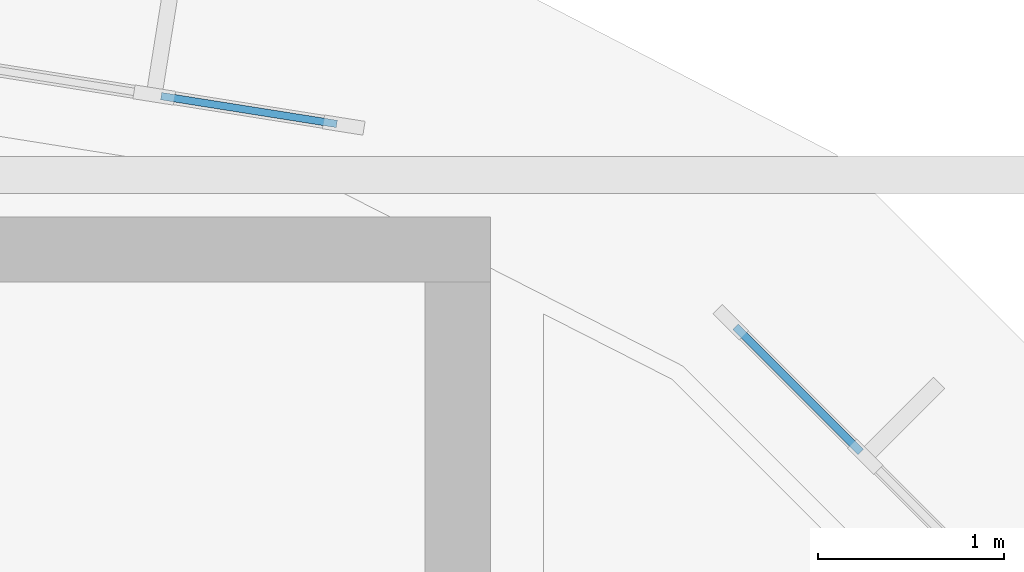
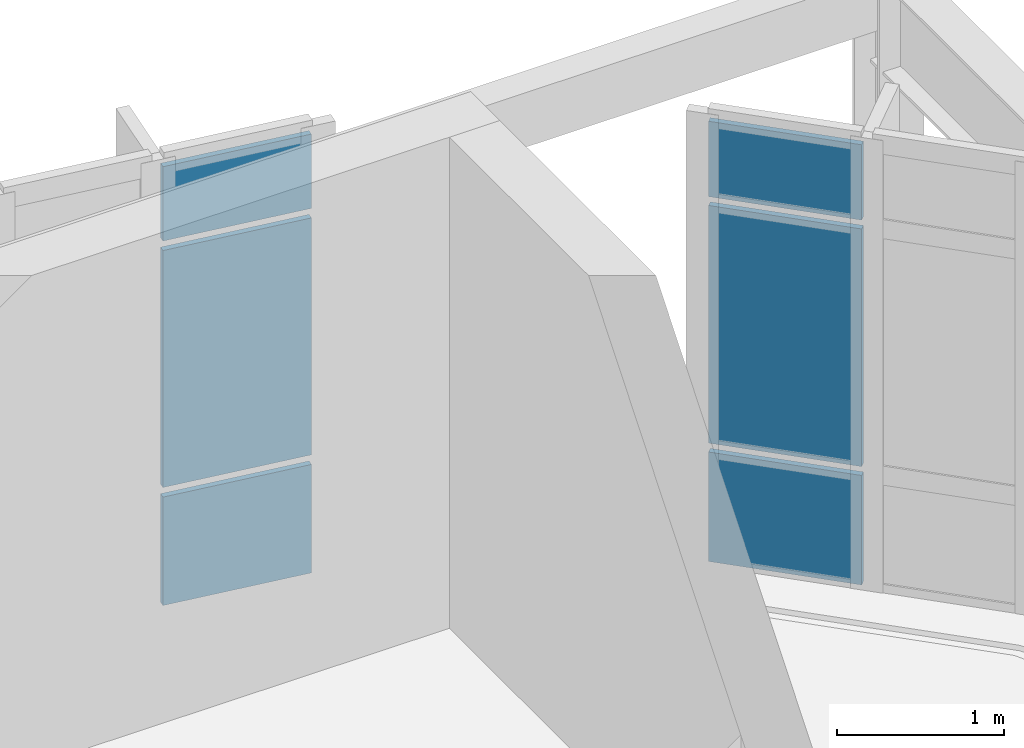
# One storey, part 22 of 30: 6 plates, 2 elements without a shape of their own.
"""IFC4 building model written with IfcOpenShell, lengths in metres."""

from ifc_helpers import new_model, si_unit, direction, frame, origin, origin_2d, place, context, subcontext, project, spatial, rectangle, extrude, material, layer, layer_set, type_object, element, aggregate, save


model = new_model("IFC4")

# Units and contexts
model_context = context("Model", 3, precision=1e-05, world=origin(), true_north=direction((0.0, 1.0)))
body_context = subcontext(model_context, "Body", "Model", "MODEL_VIEW")
ifc_project = project(units=[si_unit("LENGTHUNIT", "METRE"), si_unit("AREAUNIT", "SQUARE_METRE"), si_unit("VOLUMEUNIT", "CUBIC_METRE"), si_unit("PLANEANGLEUNIT", "RADIAN"), si_unit("MASSUNIT", "GRAM", prefix="KILO")], contexts=[model_context])

# Site, building, storey
site_placement = place(None, origin())
site = spatial("IfcSite", under=ifc_project, at=site_placement, CompositionType="ELEMENT")
building_placement = place(site_placement, origin())
building = spatial("IfcBuilding", under=site, at=building_placement, Name="Corveleigh Park Community Centre", CompositionType="ELEMENT")
storey_placement = place(building_placement, frame((0.0, 0.0, 12.60009765625)))
storey = spatial("IfcBuildingStorey", under=building, at=storey_placement, Name="L03", CompositionType="ELEMENT", Elevation=12.60009765625)

# Curtain wall, plates
ifc_material_1 = material(Name="Anodised aluminium 6063-T6", Category="aluminium")
curtain_wall_type = type_object("IfcCurtainWallType", Name="CW-SYS-V4-L03", PredefinedType="NOTDEFINED", material=ifc_material_1)
curtain_wall_1_placement = place(storey_placement, origin())
curtain_wall_1 = element("IfcCurtainWall", 1, at=curtain_wall_1_placement, inside=storey, type_object=curtain_wall_type, Name="V4 L03 Curtain Wall 417", PredefinedType="NOTDEFINED")
ifc_material_2 = material(Name="Low-E double glazing", Category="glass")
ifc_layer = layer(ifc_material_2, 0.0400390625, Name="Low-E double glazing", Category="glass")
ifc_layer_set = layer_set([ifc_layer], Name="Low-E double glazing")
plate_type = type_object("IfcPlateType", Name="CWP-GLZ-40", PredefinedType="CURTAIN_PANEL", material=ifc_layer_set)
plate_1_placement = place(storey_placement, frame((167.027099609375, 103.0498046875, 0.06494140625), z_axis=(0.0, 0.0, 1.0), x_axis=(0.707106781187, -0.707106781187, 0.0)))
plate_1 = element("IfcPlate", 2, at=plate_1_placement, type_object=plate_type, Name="CW09 panel 1.1", PredefinedType="CURTAIN_PANEL", context=body_context, shape_type="SweptSolid", body=[
    extrude(rectangle(XDim=0.9521484375, YDim=0.0400390625, at=origin_2d()), origin(), (0.0, 0.0, 1.0), 0.802490234375),
])
plate_2_placement = place(storey_placement, frame((167.027099609375, 103.0498046875, 0.9326171875), z_axis=(0.0, 0.0, 1.0), x_axis=(0.707106781187, -0.707106781187, 0.0)))
plate_2 = element("IfcPlate", 3, at=plate_2_placement, type_object=plate_type, Name="CW09 panel 1.2", PredefinedType="CURTAIN_PANEL", context=body_context, shape_type="SweptSolid", body=[
    extrude(rectangle(XDim=0.9521484375, YDim=0.0400390625, at=origin_2d()), origin(), (0.0, 0.0, 1.0), 1.741943359375),
])
plate_3_placement = place(storey_placement, frame((167.027099609375, 103.0498046875, 2.7392578125), z_axis=(0.0, 0.0, 1.0), x_axis=(0.707106781187, -0.707106781187, 0.0)))
plate_3 = element("IfcPlate", 4, at=plate_3_placement, type_object=plate_type, Name="CW09 panel 1.3", PredefinedType="CURTAIN_PANEL", context=body_context, shape_type="SweptSolid", body=[
    extrude(rectangle(XDim=0.9521484375, YDim=0.0400390625, at=origin_2d()), origin(), (0.0, 0.0, 1.0), 0.552490234375),
])
aggregate(curtain_wall_1, [plate_1, plate_2, plate_3])

curtain_wall_2_placement = place(storey_placement, origin())
curtain_wall_2 = element("IfcCurtainWall", 5, at=curtain_wall_2_placement, inside=storey, type_object=curtain_wall_type, Name="V4 L03 Curtain Wall 418", PredefinedType="NOTDEFINED")
plate_4_placement = place(storey_placement, frame((164.079345703125, 104.54931640625, 0.06982421875), z_axis=(0.0, 0.0, 1.0), x_axis=(0.987690712768, -0.156419486996, 0.0)))
plate_4 = element("IfcPlate", 6, at=plate_4_placement, type_object=plate_type, Name="CW09 panel 2.1", PredefinedType="CURTAIN_PANEL", context=body_context, shape_type="SweptSolid", body=[
    extrude(rectangle(XDim=0.955078125, YDim=0.0400390625, at=origin_2d()), origin(), (0.0, 0.0, 1.0), 0.794921875),
])
plate_5_placement = place(storey_placement, frame((164.079345703125, 104.54931640625, 0.93505859375), z_axis=(0.0, 0.0, 1.0), x_axis=(0.987690712768, -0.156419486996, 0.0)))
plate_5 = element("IfcPlate", 7, at=plate_5_placement, type_object=plate_type, Name="CW09 panel 2.2", PredefinedType="CURTAIN_PANEL", context=body_context, shape_type="SweptSolid", body=[
    extrude(rectangle(XDim=0.955078125, YDim=0.0400390625, at=origin_2d()), origin(), (0.0, 0.0, 1.0), 1.737060546875),
])
plate_6_placement = place(storey_placement, frame((164.079345703125, 104.54931640625, 2.741943359375), z_axis=(0.0, 0.0, 1.0), x_axis=(0.987690712768, -0.156419486996, 0.0)))
plate_6 = element("IfcPlate", 8, at=plate_6_placement, type_object=plate_type, Name="CW09 panel 2.3", PredefinedType="CURTAIN_PANEL", context=body_context, shape_type="SweptSolid", body=[
    extrude(rectangle(XDim=0.955078125, YDim=0.0400390625, at=origin_2d()), origin(), (0.0, 0.0, 1.0), 0.544921875),
])
aggregate(curtain_wall_2, [plate_4, plate_5, plate_6])

save(model, "model.ifc")
